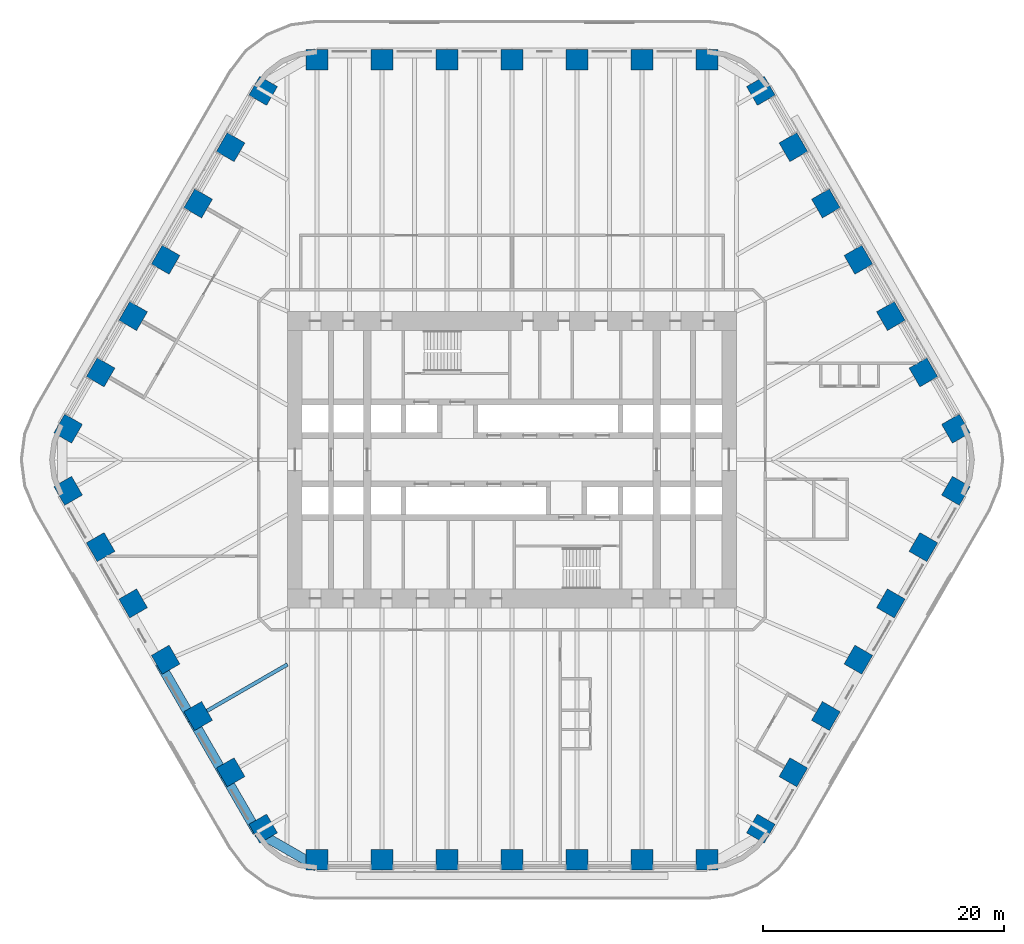
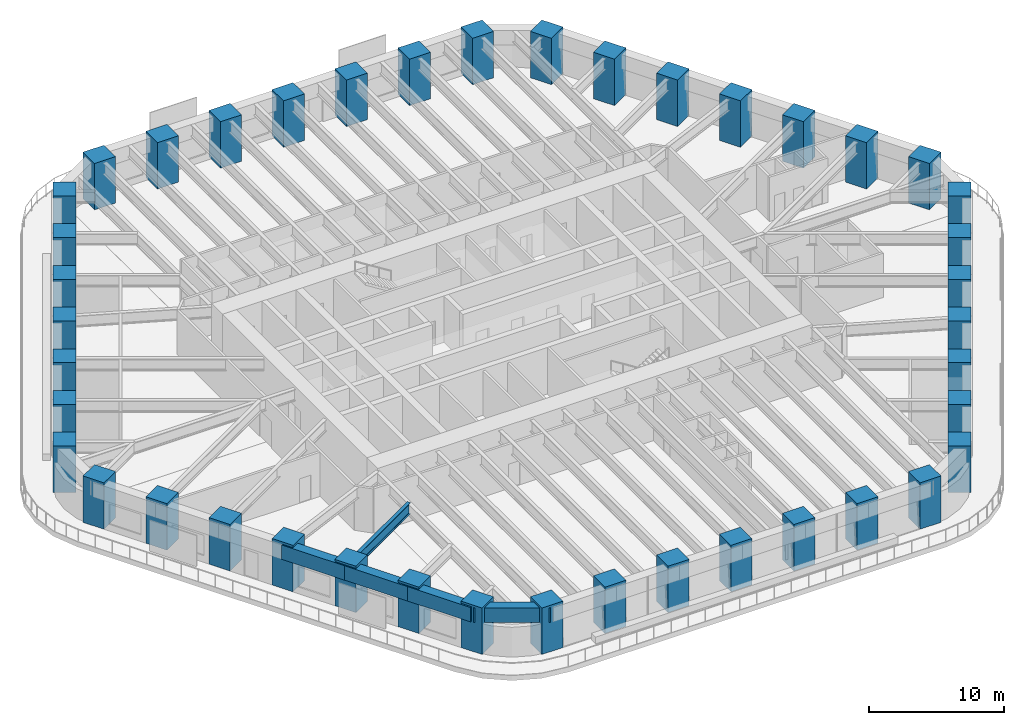
# One storey, part 1 of 24: 42 columns, 5 beams.
"""IFC4 building model written with IfcOpenShell, lengths in metres."""

from ifc_helpers import new_model, si_unit, direction, frame, origin, origin_2d, place, context, subcontext, project, spatial, rectangle, i_section, extrude, material, material_profile, profile_set, type_object, element, save


model = new_model("IFC4")

# Units and contexts
model_context = context("Model", 3, precision=1e-05, world=origin(), true_north=direction((0.0, 1.0)))
body_context = subcontext(model_context, "Body", "Model", "MODEL_VIEW")
ifc_project = project(units=[si_unit("LENGTHUNIT", "METRE"), si_unit("AREAUNIT", "SQUARE_METRE"), si_unit("VOLUMEUNIT", "CUBIC_METRE"), si_unit("PLANEANGLEUNIT", "RADIAN"), si_unit("MASSUNIT", "GRAM", prefix="KILO")], contexts=[model_context])

# Site, building, storey
site_placement = place(None, origin())
site = spatial("IfcSite", under=ifc_project, at=site_placement, CompositionType="ELEMENT")
building_placement = place(site_placement, origin())
building = spatial("IfcBuilding", under=site, at=building_placement, Name="Tarfa Lantern Tower", CompositionType="ELEMENT")
storey_placement = place(building_placement, frame((0.0, 0.0, 90.699951171875)))
storey = spatial("IfcBuildingStorey", under=building, at=storey_placement, Name="L20", CompositionType="ELEMENT", Elevation=90.699951171875)

# Columns
ifc_material_1 = material(Name="Concrete C80/95", Category="concrete")
ifc_material_profile_1 = material_profile(ifc_material_1, rectangle(XDim=1.800048828125, YDim=1.699951171875, at=origin_2d()), Name="RC 1800x1700")
ifc_profile_set_1 = profile_set([ifc_material_profile_1], Name="Concrete C80/95")
column_type = type_object("IfcColumnType", Name="TC4 RC 1800x1700", PredefinedType="COLUMN", material=ifc_profile_set_1)
for number, where, z_axis, x_axis, name in (
    (1, (36.791748046875, 2.574951171875, 0.0), (0.0, 0.0, 1.0), (-0.5, 0.866025403784, 0.0), "Tube column NE0"),
    (2, (34.097412109375, 7.24169921875, 0.0), (0.0, 0.0, 1.0), (-0.5, 0.866025403784, 0.0), "Tube column NE1"),
    (3, (31.403076171875, 11.908447265625, 0.0), (0.0, 0.0, 1.0), (-0.5, 0.866025403784, 0.0), "Tube column NE2"),
    (4, (28.708740234375, 16.574951171875, 0.0), (0.0, 0.0, 1.0), (-0.5, 0.866025403784, 0.0), "Tube column NE3"),
    (5, (26.014404296875, 21.24169921875, 0.0), (0.0, 0.0, 1.0), (-0.5, 0.866025403784, 0.0), "Tube column NE4"),
    (6, (23.320068359375, 25.908447265625, 0.0), (0.0, 0.0, 1.0), (-0.5, 0.866025403784, 0.0), "Tube column NE5"),
    (7, (20.625732421875, 30.574951171875, 0.0), (0.0, 0.0, 1.0), (-0.5, 0.866025403784, 0.0), "Tube column NE6"),
    (8, (16.165771484375, 33.14990234375, 0.0), (0.0, 0.0, 1.0), (-1.0, 0.0, 0.0), "Tube column N0"),
    (9, (10.777099609375, 33.14990234375, 0.0), (0.0, 0.0, 1.0), (-1.0, 0.0, 0.0), "Tube column N1"),
    (10, (5.388671875, 33.14990234375, 0.0), (0.0, 0.0, 1.0), (-1.0, 0.0, 0.0), "Tube column N2"),
    (11, (0.0, 33.14990234375, 0.0), (0.0, 0.0, 1.0), (-1.0, 0.0, 0.0), "Tube column N3"),
    (12, (-5.388671875, 33.14990234375, 0.0), (0.0, 0.0, 1.0), (-1.0, 0.0, 0.0), "Tube column N4"),
    (13, (-10.777099609375, 33.14990234375, 0.0), (0.0, 0.0, 1.0), (-1.0, 0.0, 0.0), "Tube column N5"),
    (14, (-16.165771484375, 33.14990234375, 0.0), (0.0, 0.0, 1.0), (-1.0, 0.0, 0.0), "Tube column N6"),
    (15, (-20.625732421875, 30.574951171875, 0.0), (0.0, 0.0, 1.0), (-0.5, -0.866025403784, 0.0), "Tube column NW0"),
    (16, (-23.320068359375, 25.908447265625, 0.0), (0.0, 0.0, 1.0), (-0.5, -0.866025403784, 0.0), "Tube column NW1"),
    (17, (-26.014404296875, 21.24169921875, 0.0), (0.0, 0.0, 1.0), (-0.5, -0.866025403784, 0.0), "Tube column NW2"),
    (18, (-28.708740234375, 16.574951171875, 0.0), (0.0, 0.0, 1.0), (-0.5, -0.866025403784, 0.0), "Tube column NW3"),
    (19, (-31.403076171875, 11.908447265625, 0.0), (0.0, 0.0, 1.0), (-0.5, -0.866025403784, 0.0), "Tube column NW4"),
    (20, (-34.097412109375, 7.24169921875, 0.0), (0.0, 0.0, 1.0), (-0.5, -0.866025403784, 0.0), "Tube column NW5"),
    (21, (-36.791748046875, 2.574951171875, 0.0), (0.0, 0.0, 1.0), (-0.5, -0.866025403784, 0.0), "Tube column NW6"),
    (22, (-36.791748046875, -2.574951171875, 0.0), (0.0, 0.0, 1.0), (0.5, -0.866025403784, 0.0), "Tube column SW0"),
    (23, (-34.097412109375, -7.24169921875, 0.0), (0.0, 0.0, 1.0), (0.5, -0.866025403784, 0.0), "Tube column SW1"),
    (24, (-31.403076171875, -11.908447265625, 0.0), (0.0, 0.0, 1.0), (0.5, -0.866025403784, 0.0), "Tube column SW2"),
    (25, (-28.708740234375, -16.574951171875, 0.0), (0.0, 0.0, 1.0), (0.5, -0.866025403784, 0.0), "Tube column SW3"),
    (26, (-26.014404296875, -21.24169921875, 0.0), (0.0, 0.0, 1.0), (0.5, -0.866025403784, 0.0), "Tube column SW4"),
    (27, (-23.320068359375, -25.908447265625, 0.0), (0.0, 0.0, 1.0), (0.5, -0.866025403784, 0.0), "Tube column SW5"),
    (28, (-20.625732421875, -30.574951171875, 0.0), (0.0, 0.0, 1.0), (0.5, -0.866025403784, 0.0), "Tube column SW6"),
    (29, (-16.165771484375, -33.14990234375, 0.0), (0.0, 0.0, 1.0), (1.0, 0.0, 0.0), "Tube column S0"),
    (30, (-10.777099609375, -33.14990234375, 0.0), (0.0, 0.0, 1.0), (1.0, 0.0, 0.0), "Tube column S1"),
    (31, (-5.388671875, -33.14990234375, 0.0), (0.0, 0.0, 1.0), (1.0, 0.0, 0.0), "Tube column S2"),
    (32, (0.0, -33.14990234375, 0.0), (0.0, 0.0, 1.0), (1.0, 0.0, 0.0), "Tube column S3"),
    (33, (5.388671875, -33.14990234375, 0.0), (0.0, 0.0, 1.0), (1.0, 0.0, 0.0), "Tube column S4"),
    (34, (10.777099609375, -33.14990234375, 0.0), (0.0, 0.0, 1.0), (1.0, 0.0, 0.0), "Tube column S5"),
    (35, (16.165771484375, -33.14990234375, 0.0), (0.0, 0.0, 1.0), (1.0, 0.0, 0.0), "Tube column S6"),
    (36, (20.625732421875, -30.574951171875, 0.0), (0.0, 0.0, 1.0), (0.5, 0.866025403784, 0.0), "Tube column SE0"),
    (37, (23.320068359375, -25.908447265625, 0.0), (0.0, 0.0, 1.0), (0.5, 0.866025403784, 0.0), "Tube column SE1"),
    (38, (26.014404296875, -21.24169921875, 0.0), (0.0, 0.0, 1.0), (0.5, 0.866025403784, 0.0), "Tube column SE2"),
    (39, (28.708740234375, -16.574951171875, 0.0), (0.0, 0.0, 1.0), (0.5, 0.866025403784, 0.0), "Tube column SE3"),
    (40, (31.403076171875, -11.908447265625, 0.0), (0.0, 0.0, 1.0), (0.5, 0.866025403784, 0.0), "Tube column SE4"),
    (41, (34.097412109375, -7.24169921875, 0.0), (0.0, 0.0, 1.0), (0.5, 0.866025403784, 0.0), "Tube column SE5"),
    (42, (36.791748046875, -2.574951171875, 0.0), (0.0, 0.0, 1.0), (0.5, 0.866025403784, 0.0), "Tube column SE6"),
):
    element("IfcColumn", number, at=place(storey_placement, frame(where, z_axis=z_axis, x_axis=x_axis)), inside=storey, type_object=column_type, Name=name, PredefinedType="COLUMN", context=body_context, shape_type="SweptSolid", body=[
        extrude(rectangle(XDim=1.800048828125, YDim=1.699951171875, at=origin_2d()), origin(), (0.0, 0.0, 1.0), 4.199951171875),
    ])

# Beams
ifc_material_profile_2 = material_profile(ifc_material_1, rectangle(XDim=0.800048828125, YDim=1.300048828125, at=origin_2d()), Name="RC 800x1300")
ifc_profile_set_2 = profile_set([ifc_material_profile_2], Name="Concrete C80/95")
beam_type_1 = type_object("IfcBeamType", Name="EB1 RC 800x1300", PredefinedType="SPANDREL", material=ifc_profile_set_2)
beam_1_placement = place(storey_placement, frame((-29.202392578125, -16.860107421875, 3.35009765625), z_axis=(0.500017906299, -0.866015065331, 0.0), x_axis=(0.866015065331, 0.500017906299, 0.0)))
element("IfcBeam", 43, at=beam_1_placement, inside=storey, type_object=beam_type_1, Name="Edge beam SW3", PredefinedType="SPANDREL", context=body_context, shape_type="SweptSolid", body=[
    extrude(rectangle(XDim=0.800048828125, YDim=1.300048828125, at=origin_2d()), origin(), (0.0, 0.0, 1.0), 5.388427734375),
])
for number, where, z_axis, x_axis, name in (
    (44, (-26.508056640625, -21.526611328125, 3.35009765625), (0.499998287579, -0.866026392449, 0.0), (0.866026392449, 0.499998287579, 0.0), "Edge beam SW4"),
    (45, (-23.813720703125, -26.193359375, 3.35009765625), (0.499998287579, -0.866026392449, 0.0), (0.866026392449, 0.499998287579, 0.0), "Edge beam SW5"),
):
    element("IfcBeam", number, at=place(storey_placement, frame(where, z_axis=z_axis, x_axis=x_axis)), inside=storey, type_object=beam_type_1, Name=name, PredefinedType="SPANDREL", context=body_context, shape_type="SweptSolid", body=[
        extrude(rectangle(XDim=0.800048828125, YDim=1.300048828125, at=origin_2d()), origin(), (0.0, 0.0, 1.0), 5.388671875),
    ])
beam_2_placement = place(storey_placement, frame((-21.119384765625, -30.860107421875, 3.35009765625), z_axis=(0.866033479681, -0.499986011877, 0.0), x_axis=(0.499986011877, 0.866033479681, 0.0)))
element("IfcBeam", 46, at=beam_2_placement, inside=storey, type_object=beam_type_1, Name="Edge beam SW6", PredefinedType="SPANDREL", context=body_context, shape_type="SweptSolid", body=[
    extrude(rectangle(XDim=0.800048828125, YDim=1.300048828125, at=origin_2d()), origin(), (0.0, 0.0, 1.0), 5.719970703125),
])
ifc_material_2 = material(Name="Steel S460M", Category="steel")
ifc_material_profile_3 = material_profile(ifc_material_2, i_section(OverallWidth=0.302001953125, OverallDepth=1.008056640625, WebThickness=0.02099609375, FlangeThickness=0.0400390625, FilletRadius=0.030029296875, at=origin_2d()), Name="UB1016x305x349")
ifc_profile_set_3 = profile_set([ifc_material_profile_3], Name="Steel S460M")
beam_type_2 = type_object("IfcBeamType", Name="UB1016x305x349", PredefinedType="BEAM", material=ifc_profile_set_3)
beam_3_placement = place(storey_placement, frame((-26.508056640625, -21.526611328125, 3.49609375), z_axis=(0.866035355799, 0.49998276221, 0.0), x_axis=(-0.49998276221, 0.866035355799, 0.0)))
element("IfcBeam", 47, at=beam_3_placement, inside=storey, type_object=beam_type_2, Name="Floor beam SW4", PredefinedType="BEAM", context=body_context, shape_type="SweptSolid", body=[
    extrude(i_section(OverallWidth=0.302001953125, OverallDepth=1.008056640625, WebThickness=0.02099609375, FlangeThickness=0.0400390625, FilletRadius=0.030029296875, at=origin_2d()), origin(), (0.0, 0.0, 1.0), 9.119873046875),
])

save(model, "model.ifc")
